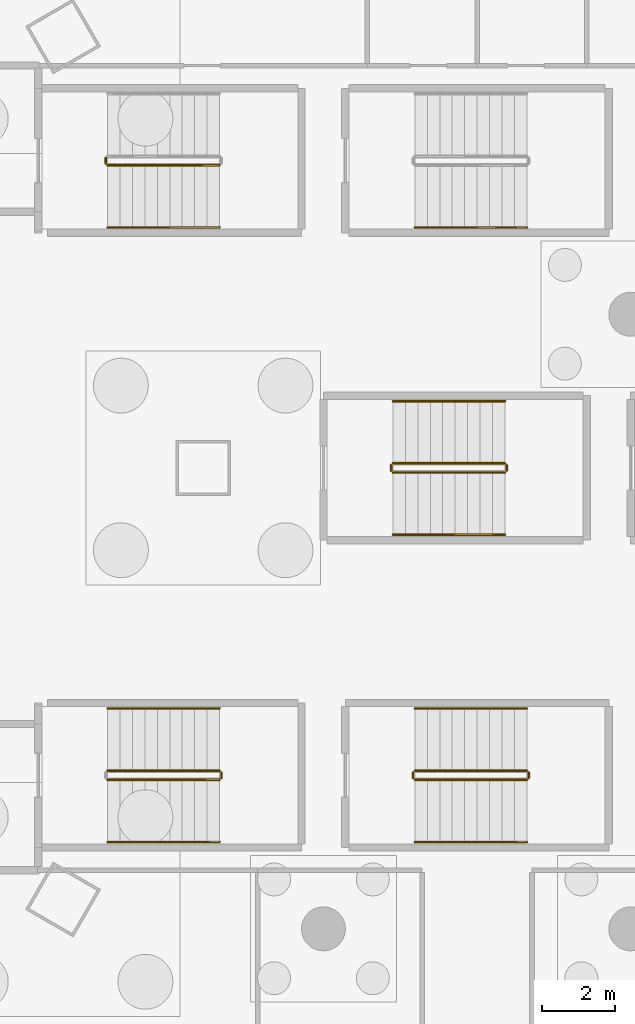
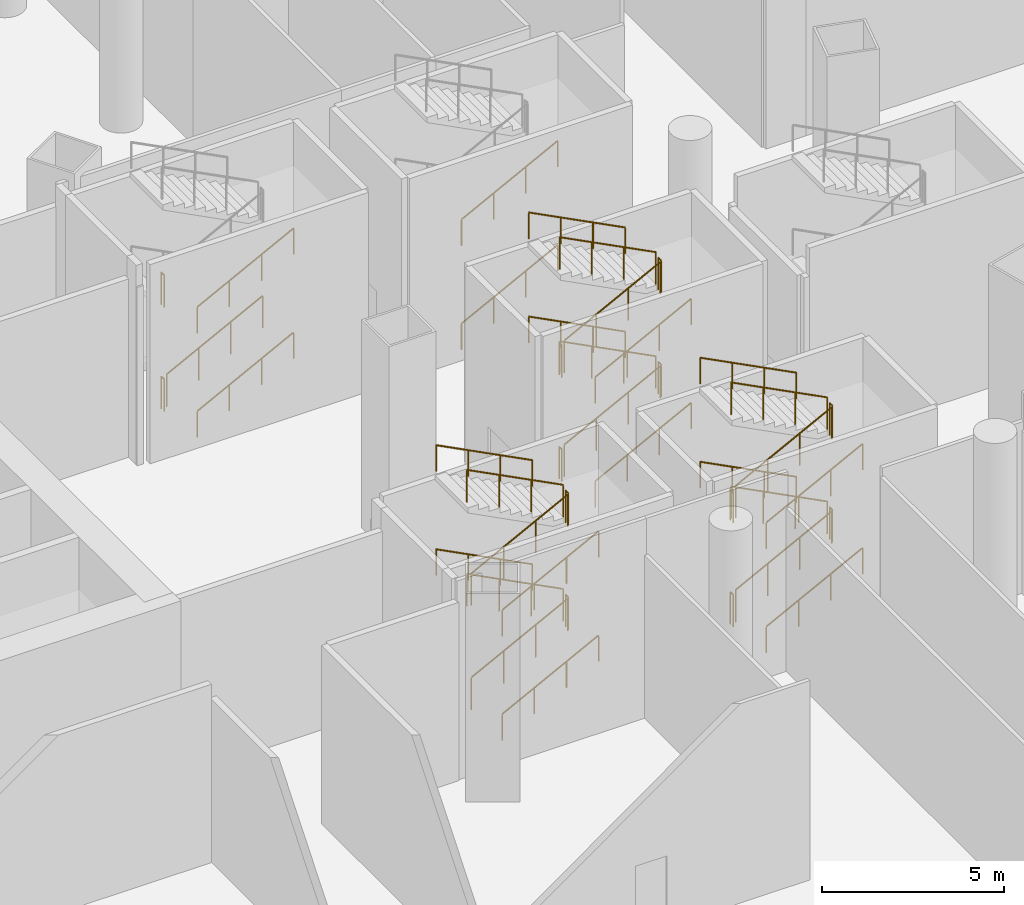
# One storey, part 38 of 41: 41 railings.
"""IFC4 building model written with IfcOpenShell, lengths in metres."""

from ifc_helpers import new_model, si_unit, direction, frame, origin, origin_2d, place, context, subcontext, project, spatial, circle, extrude, material, type_object, element, save


model = new_model("IFC4")

# Units and contexts
model_context = context("Model", 3, precision=1e-05, world=origin(), true_north=direction((0.0, 1.0)))
body_context = subcontext(model_context, "Body", "Model", "MODEL_VIEW")
ifc_project = project(units=[si_unit("LENGTHUNIT", "METRE"), si_unit("AREAUNIT", "SQUARE_METRE"), si_unit("VOLUMEUNIT", "CUBIC_METRE"), si_unit("PLANEANGLEUNIT", "RADIAN"), si_unit("MASSUNIT", "GRAM", prefix="KILO")], contexts=[model_context])

# Site, building, storey
site_placement = place(None, origin())
site = spatial("IfcSite", under=ifc_project, at=site_placement, CompositionType="ELEMENT")
building_placement = place(site_placement, origin())
building = spatial("IfcBuilding", under=site, at=building_placement, Name="Rimbun Link Towers", CompositionType="ELEMENT")
storey_placement = place(building_placement, origin())
storey = spatial("IfcBuildingStorey", under=building, at=storey_placement, Name="L00", CompositionType="ELEMENT", Elevation=0.0)

# Railings
ifc_material_1 = material(Name="Stainless steel grade 316", Category="steel")
railing_type_1 = type_object("IfcRailingType", Name="Stair guard", PredefinedType="GUARDRAIL", material=ifc_material_1)
railing_1_placement = place(storey_placement, frame((-10.10009765625, -8.52490234375, 0.175048828125)))
element("IfcRailing", 1, at=railing_1_placement, inside=storey, type_object=railing_type_1, Name="L00 PS1 stair guard 1", PredefinedType="GUARDRAIL", context=body_context, shape_type="SweptSolid", body=[
    extrude(circle(Radius=0.02392578125, at=origin_2d()), frame((0.0, 0.0, 1.076171875), z_axis=(0.889145149024, 0.0, 0.457625287726), x_axis=(0.0, 1.0, 0.0)), (0.0, 0.0, 1.0), 3.441650390625),
    extrude(circle(Radius=0.02099609375, at=origin_2d()), origin(), (0.0, 0.0, 1.0), 1.052001953125),
    extrude(circle(Radius=0.02099609375, at=origin_2d()), frame((1.02001953125, 0.0, 0.52490234375)), (0.0, 0.0, 1.0), 1.052001953125),
    extrude(circle(Radius=0.02099609375, at=origin_2d()), frame((2.0400390625, 0.0, 1.050048828125)), (0.0, 0.0, 1.0), 1.052001953125),
    extrude(circle(Radius=0.02099609375, at=origin_2d()), frame((3.06005859375, 0.0, 1.574951171875)), (0.0, 0.0, 1.0), 1.052001953125),
])
railing_2_placement = place(storey_placement, frame((-6.989990234375, -8.47509765625, 1.75)))
element("IfcRailing", 2, at=railing_2_placement, inside=storey, type_object=railing_type_1, Name="L00 PS1 stair guard 2", PredefinedType="GUARDRAIL", context=body_context, shape_type="SweptSolid", body=[
    extrude(circle(Radius=0.02392578125, at=origin_2d()), frame((0.0, 0.0, 1.076171875), z_axis=(0.0, 1.0, 0.0), x_axis=(-1.0, 0.0, 0.0)), (0.0, 0.0, 1.0), 0.150146484375),
    extrude(circle(Radius=0.02099609375, at=origin_2d()), origin(), (0.0, 0.0, 1.0), 1.052001953125),
    extrude(circle(Radius=0.02099609375, at=origin_2d()), frame((0.0, 0.150146484375, 0.0)), (0.0, 0.0, 1.0), 1.052001953125),
])
railing_3_placement = place(storey_placement, frame((-7.0400390625, -8.27490234375, 1.925048828125)))
element("IfcRailing", 3, at=railing_3_placement, inside=storey, type_object=railing_type_1, Name="L00 PS1 stair guard 3", PredefinedType="GUARDRAIL", context=body_context, shape_type="SweptSolid", body=[
    extrude(circle(Radius=0.02392578125, at=origin_2d()), frame((0.0, 0.0, 1.076171875), z_axis=(-0.889145149024, 0.0, 0.457625287726), x_axis=(0.0, -1.0, 0.0)), (0.0, 0.0, 1.0), 3.441650390625),
    extrude(circle(Radius=0.02099609375, at=origin_2d()), origin(), (0.0, 0.0, 1.0), 1.052001953125),
    extrude(circle(Radius=0.02099609375, at=origin_2d()), frame((-1.02001953125, 0.0, 0.52490234375)), (0.0, 0.0, 1.0), 1.052001953125),
    extrude(circle(Radius=0.02099609375, at=origin_2d()), frame((-2.0400390625, 0.0, 1.050048828125)), (0.0, 0.0, 1.0), 1.052001953125),
    extrude(circle(Radius=0.02099609375, at=origin_2d()), frame((-3.06005859375, 0.0, 1.574951171875)), (0.0, 0.0, 1.0), 1.052001953125),
])
railing_4_placement = place(storey_placement, frame((-10.10009765625, -8.52490234375, 3.675048828125)))
element("IfcRailing", 4, at=railing_4_placement, inside=storey, type_object=railing_type_1, Name="L00 PS1 stair guard 5", PredefinedType="GUARDRAIL", context=body_context, shape_type="SweptSolid", body=[
    extrude(circle(Radius=0.02392578125, at=origin_2d()), frame((0.0, 0.0, 1.076171875), z_axis=(0.889145149024, 0.0, 0.457625287726), x_axis=(0.0, 1.0, 0.0)), (0.0, 0.0, 1.0), 3.441650390625),
    extrude(circle(Radius=0.02099609375, at=origin_2d()), origin(), (0.0, 0.0, 1.0), 1.052001953125),
    extrude(circle(Radius=0.02099609375, at=origin_2d()), frame((1.02001953125, 0.0, 0.52490234375)), (0.0, 0.0, 1.0), 1.052001953125),
    extrude(circle(Radius=0.02099609375, at=origin_2d()), frame((2.0400390625, 0.0, 1.050048828125)), (0.0, 0.0, 1.0), 1.052001953125),
    extrude(circle(Radius=0.02099609375, at=origin_2d()), frame((3.06005859375, 0.0, 1.574951171875)), (0.0, 0.0, 1.0), 1.052001953125),
])
railing_5_placement = place(storey_placement, frame((-6.989990234375, -8.47509765625, 5.25)))
element("IfcRailing", 5, at=railing_5_placement, inside=storey, type_object=railing_type_1, Name="L00 PS1 stair guard 6", PredefinedType="GUARDRAIL", context=body_context, shape_type="SweptSolid", body=[
    extrude(circle(Radius=0.02392578125, at=origin_2d()), frame((0.0, 0.0, 1.076171875), z_axis=(0.0, 1.0, 0.0), x_axis=(-1.0, 0.0, 0.0)), (0.0, 0.0, 1.0), 0.150146484375),
    extrude(circle(Radius=0.02099609375, at=origin_2d()), origin(), (0.0, 0.0, 1.0), 1.052001953125),
    extrude(circle(Radius=0.02099609375, at=origin_2d()), frame((0.0, 0.150146484375, 0.0)), (0.0, 0.0, 1.0), 1.052001953125),
])
railing_6_placement = place(storey_placement, frame((-7.0400390625, -8.27490234375, 5.425048828125)))
element("IfcRailing", 6, at=railing_6_placement, inside=storey, type_object=railing_type_1, Name="L00 PS1 stair guard 7", PredefinedType="GUARDRAIL", context=body_context, shape_type="SweptSolid", body=[
    extrude(circle(Radius=0.02392578125, at=origin_2d()), frame((0.0, 0.0, 1.076171875), z_axis=(-0.889145149024, 0.0, 0.457625287726), x_axis=(0.0, -1.0, 0.0)), (0.0, 0.0, 1.0), 3.441650390625),
    extrude(circle(Radius=0.02099609375, at=origin_2d()), origin(), (0.0, 0.0, 1.0), 1.052001953125),
    extrude(circle(Radius=0.02099609375, at=origin_2d()), frame((-1.02001953125, 0.0, 0.52490234375)), (0.0, 0.0, 1.0), 1.052001953125),
    extrude(circle(Radius=0.02099609375, at=origin_2d()), frame((-2.0400390625, 0.0, 1.050048828125)), (0.0, 0.0, 1.0), 1.052001953125),
    extrude(circle(Radius=0.02099609375, at=origin_2d()), frame((-3.06005859375, 0.0, 1.574951171875)), (0.0, 0.0, 1.0), 1.052001953125),
])
railing_7_placement = place(storey_placement, frame((-1.699951171875, -8.52490234375, 0.175048828125)))
element("IfcRailing", 7, at=railing_7_placement, inside=storey, type_object=railing_type_1, Name="L00 PS2 stair guard 1", PredefinedType="GUARDRAIL", context=body_context, shape_type="SweptSolid", body=[
    extrude(circle(Radius=0.02392578125, at=origin_2d()), frame((0.0, 0.0, 1.076171875), z_axis=(0.889145149024, 0.0, 0.457625287726), x_axis=(0.0, 1.0, 0.0)), (0.0, 0.0, 1.0), 3.441650390625),
    extrude(circle(Radius=0.02099609375, at=origin_2d()), origin(), (0.0, 0.0, 1.0), 1.052001953125),
    extrude(circle(Radius=0.02099609375, at=origin_2d()), frame((1.02001953125, 0.0, 0.52490234375)), (0.0, 0.0, 1.0), 1.052001953125),
    extrude(circle(Radius=0.02099609375, at=origin_2d()), frame((2.0400390625, 0.0, 1.050048828125)), (0.0, 0.0, 1.0), 1.052001953125),
    extrude(circle(Radius=0.02099609375, at=origin_2d()), frame((3.06005859375, 0.0, 1.574951171875)), (0.0, 0.0, 1.0), 1.052001953125),
])
railing_8_placement = place(storey_placement, frame((1.409912109375, -8.47509765625, 1.75)))
element("IfcRailing", 8, at=railing_8_placement, inside=storey, type_object=railing_type_1, Name="L00 PS2 stair guard 2", PredefinedType="GUARDRAIL", context=body_context, shape_type="SweptSolid", body=[
    extrude(circle(Radius=0.02392578125, at=origin_2d()), frame((0.0, 0.0, 1.076171875), z_axis=(0.0, 1.0, 0.0), x_axis=(-1.0, 0.0, 0.0)), (0.0, 0.0, 1.0), 0.150146484375),
    extrude(circle(Radius=0.02099609375, at=origin_2d()), origin(), (0.0, 0.0, 1.0), 1.052001953125),
    extrude(circle(Radius=0.02099609375, at=origin_2d()), frame((0.0, 0.150146484375, 0.0)), (0.0, 0.0, 1.0), 1.052001953125),
])
railing_9_placement = place(storey_placement, frame((1.360107421875, -8.27490234375, 1.925048828125)))
element("IfcRailing", 9, at=railing_9_placement, inside=storey, type_object=railing_type_1, Name="L00 PS2 stair guard 3", PredefinedType="GUARDRAIL", context=body_context, shape_type="SweptSolid", body=[
    extrude(circle(Radius=0.02392578125, at=origin_2d()), frame((0.0, 0.0, 1.076171875), z_axis=(-0.889145149024, 0.0, 0.457625287726), x_axis=(0.0, -1.0, 0.0)), (0.0, 0.0, 1.0), 3.441650390625),
    extrude(circle(Radius=0.02099609375, at=origin_2d()), origin(), (0.0, 0.0, 1.0), 1.052001953125),
    extrude(circle(Radius=0.02099609375, at=origin_2d()), frame((-1.02001953125, 0.0, 0.52490234375)), (0.0, 0.0, 1.0), 1.052001953125),
    extrude(circle(Radius=0.02099609375, at=origin_2d()), frame((-2.0400390625, 0.0, 1.050048828125)), (0.0, 0.0, 1.0), 1.052001953125),
    extrude(circle(Radius=0.02099609375, at=origin_2d()), frame((-3.06005859375, 0.0, 1.574951171875)), (0.0, 0.0, 1.0), 1.052001953125),
])
railing_10_placement = place(storey_placement, frame((-1.75, -8.47509765625, 3.5)))
element("IfcRailing", 10, at=railing_10_placement, inside=storey, type_object=railing_type_1, Name="L00 PS2 stair guard 4", PredefinedType="GUARDRAIL", context=body_context, shape_type="SweptSolid", body=[
    extrude(circle(Radius=0.02392578125, at=origin_2d()), frame((0.0, 0.0, 1.076171875), z_axis=(0.0, 1.0, 0.0), x_axis=(-1.0, 0.0, 0.0)), (0.0, 0.0, 1.0), 0.150146484375),
    extrude(circle(Radius=0.02099609375, at=origin_2d()), origin(), (0.0, 0.0, 1.0), 1.052001953125),
    extrude(circle(Radius=0.02099609375, at=origin_2d()), frame((0.0, 0.150146484375, 0.0)), (0.0, 0.0, 1.0), 1.052001953125),
])
railing_11_placement = place(storey_placement, frame((-1.699951171875, -8.52490234375, 3.675048828125)))
element("IfcRailing", 11, at=railing_11_placement, inside=storey, type_object=railing_type_1, Name="L00 PS2 stair guard 5", PredefinedType="GUARDRAIL", context=body_context, shape_type="SweptSolid", body=[
    extrude(circle(Radius=0.02392578125, at=origin_2d()), frame((0.0, 0.0, 1.076171875), z_axis=(0.889145149024, 0.0, 0.457625287726), x_axis=(0.0, 1.0, 0.0)), (0.0, 0.0, 1.0), 3.441650390625),
    extrude(circle(Radius=0.02099609375, at=origin_2d()), origin(), (0.0, 0.0, 1.0), 1.052001953125),
    extrude(circle(Radius=0.02099609375, at=origin_2d()), frame((1.02001953125, 0.0, 0.52490234375)), (0.0, 0.0, 1.0), 1.052001953125),
    extrude(circle(Radius=0.02099609375, at=origin_2d()), frame((2.0400390625, 0.0, 1.050048828125)), (0.0, 0.0, 1.0), 1.052001953125),
    extrude(circle(Radius=0.02099609375, at=origin_2d()), frame((3.06005859375, 0.0, 1.574951171875)), (0.0, 0.0, 1.0), 1.052001953125),
])
railing_12_placement = place(storey_placement, frame((1.409912109375, -8.47509765625, 5.25)))
element("IfcRailing", 12, at=railing_12_placement, inside=storey, type_object=railing_type_1, Name="L00 PS2 stair guard 6", PredefinedType="GUARDRAIL", context=body_context, shape_type="SweptSolid", body=[
    extrude(circle(Radius=0.02392578125, at=origin_2d()), frame((0.0, 0.0, 1.076171875), z_axis=(0.0, 1.0, 0.0), x_axis=(-1.0, 0.0, 0.0)), (0.0, 0.0, 1.0), 0.150146484375),
    extrude(circle(Radius=0.02099609375, at=origin_2d()), origin(), (0.0, 0.0, 1.0), 1.052001953125),
    extrude(circle(Radius=0.02099609375, at=origin_2d()), frame((0.0, 0.150146484375, 0.0)), (0.0, 0.0, 1.0), 1.052001953125),
])
railing_13_placement = place(storey_placement, frame((1.360107421875, -8.27490234375, 5.425048828125)))
element("IfcRailing", 13, at=railing_13_placement, inside=storey, type_object=railing_type_1, Name="L00 PS2 stair guard 7", PredefinedType="GUARDRAIL", context=body_context, shape_type="SweptSolid", body=[
    extrude(circle(Radius=0.02392578125, at=origin_2d()), frame((0.0, 0.0, 1.076171875), z_axis=(-0.889145149024, 0.0, 0.457625287726), x_axis=(0.0, -1.0, 0.0)), (0.0, 0.0, 1.0), 3.441650390625),
    extrude(circle(Radius=0.02099609375, at=origin_2d()), origin(), (0.0, 0.0, 1.0), 1.052001953125),
    extrude(circle(Radius=0.02099609375, at=origin_2d()), frame((-1.02001953125, 0.0, 0.52490234375)), (0.0, 0.0, 1.0), 1.052001953125),
    extrude(circle(Radius=0.02099609375, at=origin_2d()), frame((-2.0400390625, 0.0, 1.050048828125)), (0.0, 0.0, 1.0), 1.052001953125),
    extrude(circle(Radius=0.02099609375, at=origin_2d()), frame((-3.06005859375, 0.0, 1.574951171875)), (0.0, 0.0, 1.0), 1.052001953125),
])
railing_14_placement = place(storey_placement, frame((-1.75, -8.47509765625, 0.0)))
element("IfcRailing", 14, at=railing_14_placement, inside=storey, type_object=railing_type_1, Name="L00 PS2 stair guard 8", PredefinedType="GUARDRAIL", context=body_context, shape_type="SweptSolid", body=[
    extrude(circle(Radius=0.02392578125, at=origin_2d()), frame((0.0, 0.0, 1.076171875), z_axis=(0.0, 1.0, 0.0), x_axis=(-1.0, 0.0, 0.0)), (0.0, 0.0, 1.0), 0.150146484375),
    extrude(circle(Radius=0.02099609375, at=origin_2d()), origin(), (0.0, 0.0, 1.0), 1.052001953125),
    extrude(circle(Radius=0.02099609375, at=origin_2d()), frame((0.0, 0.150146484375, 0.0)), (0.0, 0.0, 1.0), 1.052001953125),
])
railing_15_placement = place(storey_placement, frame((-10.10009765625, 8.27490234375, 0.175048828125)))
element("IfcRailing", 15, at=railing_15_placement, inside=storey, type_object=railing_type_1, Name="L00 PS3 stair guard 1", PredefinedType="GUARDRAIL", context=body_context, shape_type="SweptSolid", body=[
    extrude(circle(Radius=0.02392578125, at=origin_2d()), frame((0.0, 0.0, 1.076171875), z_axis=(0.889145149024, 0.0, 0.457625287726), x_axis=(0.0, 1.0, 0.0)), (0.0, 0.0, 1.0), 3.441650390625),
    extrude(circle(Radius=0.02099609375, at=origin_2d()), origin(), (0.0, 0.0, 1.0), 1.052001953125),
    extrude(circle(Radius=0.02099609375, at=origin_2d()), frame((1.02001953125, 0.0, 0.52490234375)), (0.0, 0.0, 1.0), 1.052001953125),
    extrude(circle(Radius=0.02099609375, at=origin_2d()), frame((2.0400390625, 0.0, 1.050048828125)), (0.0, 0.0, 1.0), 1.052001953125),
    extrude(circle(Radius=0.02099609375, at=origin_2d()), frame((3.06005859375, 0.0, 1.574951171875)), (0.0, 0.0, 1.0), 1.052001953125),
])
for number, where, name in (
    (16, (-10.14990234375, 8.324951171875, 3.5), "L00 PS3 stair guard 4"),
    (17, (-10.14990234375, 8.324951171875, 0.0), "L00 PS3 stair guard 8"),
):
    element("IfcRailing", number, at=place(storey_placement, frame(where)), inside=storey, type_object=railing_type_1, Name=name, PredefinedType="GUARDRAIL", context=body_context, shape_type="SweptSolid", body=[
        extrude(circle(Radius=0.02392578125, at=origin_2d()), frame((0.0, 0.0, 1.076171875), z_axis=(0.0, 1.0, 0.0), x_axis=(-1.0, 0.0, 0.0)), (0.0, 0.0, 1.0), 0.150146484375),
        extrude(circle(Radius=0.02099609375, at=origin_2d()), origin(), (0.0, 0.0, 1.0), 1.052001953125),
        extrude(circle(Radius=0.02099609375, at=origin_2d()), frame((0.0, 0.150146484375, 0.0)), (0.0, 0.0, 1.0), 1.052001953125),
    ])
railing_16_placement = place(storey_placement, frame((-2.300048828125, -0.125, 0.175048828125)))
element("IfcRailing", 18, at=railing_16_placement, inside=storey, type_object=railing_type_1, Name="L00 PS6 stair guard 1", PredefinedType="GUARDRAIL", context=body_context, shape_type="SweptSolid", body=[
    extrude(circle(Radius=0.02392578125, at=origin_2d()), frame((0.0, 0.0, 1.076171875), z_axis=(0.889145149024, 0.0, 0.457625287726), x_axis=(0.0, 1.0, 0.0)), (0.0, 0.0, 1.0), 3.441650390625),
    extrude(circle(Radius=0.02099609375, at=origin_2d()), origin(), (0.0, 0.0, 1.0), 1.052001953125),
    extrude(circle(Radius=0.02099609375, at=origin_2d()), frame((1.02001953125, 0.0, 0.52490234375)), (0.0, 0.0, 1.0), 1.052001953125),
    extrude(circle(Radius=0.02099609375, at=origin_2d()), frame((2.0400390625, 0.0, 1.050048828125)), (0.0, 0.0, 1.0), 1.052001953125),
    extrude(circle(Radius=0.02099609375, at=origin_2d()), frame((3.06005859375, 0.0, 1.574951171875)), (0.0, 0.0, 1.0), 1.052001953125),
])
railing_17_placement = place(storey_placement, frame((0.81005859375, -0.074951171875, 1.75)))
element("IfcRailing", 19, at=railing_17_placement, inside=storey, type_object=railing_type_1, Name="L00 PS6 stair guard 2", PredefinedType="GUARDRAIL", context=body_context, shape_type="SweptSolid", body=[
    extrude(circle(Radius=0.02392578125, at=origin_2d()), frame((0.0, 0.0, 1.076171875), z_axis=(0.0, 1.0, 0.0), x_axis=(-1.0, 0.0, 0.0)), (0.0, 0.0, 1.0), 0.14990234375),
    extrude(circle(Radius=0.02099609375, at=origin_2d()), origin(), (0.0, 0.0, 1.0), 1.052001953125),
    extrude(circle(Radius=0.02099609375, at=origin_2d()), frame((0.0, 0.14990234375, 0.0)), (0.0, 0.0, 1.0), 1.052001953125),
])
railing_18_placement = place(storey_placement, frame((0.760009765625, 0.125, 1.925048828125)))
element("IfcRailing", 20, at=railing_18_placement, inside=storey, type_object=railing_type_1, Name="L00 PS6 stair guard 3", PredefinedType="GUARDRAIL", context=body_context, shape_type="SweptSolid", body=[
    extrude(circle(Radius=0.02392578125, at=origin_2d()), frame((0.0, 0.0, 1.076171875), z_axis=(-0.889145149024, 0.0, 0.457625287726), x_axis=(0.0, -1.0, 0.0)), (0.0, 0.0, 1.0), 3.441650390625),
    extrude(circle(Radius=0.02099609375, at=origin_2d()), origin(), (0.0, 0.0, 1.0), 1.052001953125),
    extrude(circle(Radius=0.02099609375, at=origin_2d()), frame((-1.02001953125, 0.0, 0.52490234375)), (0.0, 0.0, 1.0), 1.052001953125),
    extrude(circle(Radius=0.02099609375, at=origin_2d()), frame((-2.0400390625, 0.0, 1.050048828125)), (0.0, 0.0, 1.0), 1.052001953125),
    extrude(circle(Radius=0.02099609375, at=origin_2d()), frame((-3.06005859375, 0.0, 1.574951171875)), (0.0, 0.0, 1.0), 1.052001953125),
])
railing_19_placement = place(storey_placement, frame((-2.35009765625, -0.074951171875, 3.5)))
element("IfcRailing", 21, at=railing_19_placement, inside=storey, type_object=railing_type_1, Name="L00 PS6 stair guard 4", PredefinedType="GUARDRAIL", context=body_context, shape_type="SweptSolid", body=[
    extrude(circle(Radius=0.02392578125, at=origin_2d()), frame((0.0, 0.0, 1.076171875), z_axis=(0.0, 1.0, 0.0), x_axis=(-1.0, 0.0, 0.0)), (0.0, 0.0, 1.0), 0.14990234375),
    extrude(circle(Radius=0.02099609375, at=origin_2d()), origin(), (0.0, 0.0, 1.0), 1.052001953125),
    extrude(circle(Radius=0.02099609375, at=origin_2d()), frame((0.0, 0.14990234375, 0.0)), (0.0, 0.0, 1.0), 1.052001953125),
])
railing_20_placement = place(storey_placement, frame((-2.300048828125, -0.125, 3.675048828125)))
element("IfcRailing", 22, at=railing_20_placement, inside=storey, type_object=railing_type_1, Name="L00 PS6 stair guard 5", PredefinedType="GUARDRAIL", context=body_context, shape_type="SweptSolid", body=[
    extrude(circle(Radius=0.02392578125, at=origin_2d()), frame((0.0, 0.0, 1.076171875), z_axis=(0.889145149024, 0.0, 0.457625287726), x_axis=(0.0, 1.0, 0.0)), (0.0, 0.0, 1.0), 3.441650390625),
    extrude(circle(Radius=0.02099609375, at=origin_2d()), origin(), (0.0, 0.0, 1.0), 1.052001953125),
    extrude(circle(Radius=0.02099609375, at=origin_2d()), frame((1.02001953125, 0.0, 0.52490234375)), (0.0, 0.0, 1.0), 1.052001953125),
    extrude(circle(Radius=0.02099609375, at=origin_2d()), frame((2.0400390625, 0.0, 1.050048828125)), (0.0, 0.0, 1.0), 1.052001953125),
    extrude(circle(Radius=0.02099609375, at=origin_2d()), frame((3.06005859375, 0.0, 1.574951171875)), (0.0, 0.0, 1.0), 1.052001953125),
])
railing_21_placement = place(storey_placement, frame((0.81005859375, -0.074951171875, 5.25)))
element("IfcRailing", 23, at=railing_21_placement, inside=storey, type_object=railing_type_1, Name="L00 PS6 stair guard 6", PredefinedType="GUARDRAIL", context=body_context, shape_type="SweptSolid", body=[
    extrude(circle(Radius=0.02392578125, at=origin_2d()), frame((0.0, 0.0, 1.076171875), z_axis=(0.0, 1.0, 0.0), x_axis=(-1.0, 0.0, 0.0)), (0.0, 0.0, 1.0), 0.14990234375),
    extrude(circle(Radius=0.02099609375, at=origin_2d()), origin(), (0.0, 0.0, 1.0), 1.052001953125),
    extrude(circle(Radius=0.02099609375, at=origin_2d()), frame((0.0, 0.14990234375, 0.0)), (0.0, 0.0, 1.0), 1.052001953125),
])
railing_22_placement = place(storey_placement, frame((0.760009765625, 0.125, 5.425048828125)))
element("IfcRailing", 24, at=railing_22_placement, inside=storey, type_object=railing_type_1, Name="L00 PS6 stair guard 7", PredefinedType="GUARDRAIL", context=body_context, shape_type="SweptSolid", body=[
    extrude(circle(Radius=0.02392578125, at=origin_2d()), frame((0.0, 0.0, 1.076171875), z_axis=(-0.889145149024, 0.0, 0.457625287726), x_axis=(0.0, -1.0, 0.0)), (0.0, 0.0, 1.0), 3.441650390625),
    extrude(circle(Radius=0.02099609375, at=origin_2d()), origin(), (0.0, 0.0, 1.0), 1.052001953125),
    extrude(circle(Radius=0.02099609375, at=origin_2d()), frame((-1.02001953125, 0.0, 0.52490234375)), (0.0, 0.0, 1.0), 1.052001953125),
    extrude(circle(Radius=0.02099609375, at=origin_2d()), frame((-2.0400390625, 0.0, 1.050048828125)), (0.0, 0.0, 1.0), 1.052001953125),
    extrude(circle(Radius=0.02099609375, at=origin_2d()), frame((-3.06005859375, 0.0, 1.574951171875)), (0.0, 0.0, 1.0), 1.052001953125),
])
railing_23_placement = place(storey_placement, frame((-2.35009765625, -0.074951171875, 0.0)))
element("IfcRailing", 25, at=railing_23_placement, inside=storey, type_object=railing_type_1, Name="L00 PS6 stair guard 8", PredefinedType="GUARDRAIL", context=body_context, shape_type="SweptSolid", body=[
    extrude(circle(Radius=0.02392578125, at=origin_2d()), frame((0.0, 0.0, 1.076171875), z_axis=(0.0, 1.0, 0.0), x_axis=(-1.0, 0.0, 0.0)), (0.0, 0.0, 1.0), 0.14990234375),
    extrude(circle(Radius=0.02099609375, at=origin_2d()), origin(), (0.0, 0.0, 1.0), 1.052001953125),
    extrude(circle(Radius=0.02099609375, at=origin_2d()), frame((0.0, 0.14990234375, 0.0)), (0.0, 0.0, 1.0), 1.052001953125),
])
ifc_material_2 = material(Name="Stainless steel grade 316", Category="steel")
railing_type_2 = type_object("IfcRailingType", Name="Stair handrail", PredefinedType="HANDRAIL", material=ifc_material_2)
railing_24_placement = place(storey_placement, frame((-10.10009765625, -10.22509765625, 0.175048828125)))
element("IfcRailing", 26, at=railing_24_placement, inside=storey, type_object=railing_type_2, Name="L00 PS1 stair handrail 1", PredefinedType="HANDRAIL", context=body_context, shape_type="SweptSolid", body=[
    extrude(circle(Radius=0.02392578125, at=origin_2d()), frame((0.0, 0.0, 0.8759765625), z_axis=(0.889145149024, 0.0, 0.457625287726), x_axis=(0.0, 1.0, 0.0)), (0.0, 0.0, 1.0), 3.441650390625),
    extrude(circle(Radius=0.02099609375, at=origin_2d()), origin(), (0.0, 0.0, 1.0), 0.851806640625),
    extrude(circle(Radius=0.02099609375, at=origin_2d()), frame((1.02001953125, 0.0, 0.52490234375)), (0.0, 0.0, 1.0), 0.851806640625),
    extrude(circle(Radius=0.02099609375, at=origin_2d()), frame((2.0400390625, 0.0, 1.050048828125)), (0.0, 0.0, 1.0), 0.851806640625),
    extrude(circle(Radius=0.02099609375, at=origin_2d()), frame((3.06005859375, 0.0, 1.574951171875)), (0.0, 0.0, 1.0), 0.851806640625),
])
railing_25_placement = place(storey_placement, frame((-7.0400390625, -6.574951171875, 1.925048828125)))
element("IfcRailing", 27, at=railing_25_placement, inside=storey, type_object=railing_type_2, Name="L00 PS1 stair handrail 2", PredefinedType="HANDRAIL", context=body_context, shape_type="SweptSolid", body=[
    extrude(circle(Radius=0.02392578125, at=origin_2d()), frame((0.0, 0.0, 0.8759765625), z_axis=(-0.889145149024, 0.0, 0.457625287726), x_axis=(0.0, -1.0, 0.0)), (0.0, 0.0, 1.0), 3.441650390625),
    extrude(circle(Radius=0.02099609375, at=origin_2d()), origin(), (0.0, 0.0, 1.0), 0.851806640625),
    extrude(circle(Radius=0.02099609375, at=origin_2d()), frame((-1.02001953125, 0.0, 0.52490234375)), (0.0, 0.0, 1.0), 0.851806640625),
    extrude(circle(Radius=0.02099609375, at=origin_2d()), frame((-2.0400390625, 0.0, 1.050048828125)), (0.0, 0.0, 1.0), 0.851806640625),
    extrude(circle(Radius=0.02099609375, at=origin_2d()), frame((-3.06005859375, 0.0, 1.574951171875)), (0.0, 0.0, 1.0), 0.851806640625),
])
railing_26_placement = place(storey_placement, frame((-10.10009765625, -10.22509765625, 3.675048828125)))
element("IfcRailing", 28, at=railing_26_placement, inside=storey, type_object=railing_type_2, Name="L00 PS1 stair handrail 3", PredefinedType="HANDRAIL", context=body_context, shape_type="SweptSolid", body=[
    extrude(circle(Radius=0.02392578125, at=origin_2d()), frame((0.0, 0.0, 0.8759765625), z_axis=(0.889145149024, 0.0, 0.457625287726), x_axis=(0.0, 1.0, 0.0)), (0.0, 0.0, 1.0), 3.441650390625),
    extrude(circle(Radius=0.02099609375, at=origin_2d()), origin(), (0.0, 0.0, 1.0), 0.851806640625),
    extrude(circle(Radius=0.02099609375, at=origin_2d()), frame((1.02001953125, 0.0, 0.52490234375)), (0.0, 0.0, 1.0), 0.851806640625),
    extrude(circle(Radius=0.02099609375, at=origin_2d()), frame((2.0400390625, 0.0, 1.050048828125)), (0.0, 0.0, 1.0), 0.851806640625),
    extrude(circle(Radius=0.02099609375, at=origin_2d()), frame((3.06005859375, 0.0, 1.574951171875)), (0.0, 0.0, 1.0), 0.851806640625),
])
railing_27_placement = place(storey_placement, frame((-7.0400390625, -6.574951171875, 5.425048828125)))
element("IfcRailing", 29, at=railing_27_placement, inside=storey, type_object=railing_type_2, Name="L00 PS1 stair handrail 4", PredefinedType="HANDRAIL", context=body_context, shape_type="SweptSolid", body=[
    extrude(circle(Radius=0.02392578125, at=origin_2d()), frame((0.0, 0.0, 0.8759765625), z_axis=(-0.889145149024, 0.0, 0.457625287726), x_axis=(0.0, -1.0, 0.0)), (0.0, 0.0, 1.0), 3.441650390625),
    extrude(circle(Radius=0.02099609375, at=origin_2d()), origin(), (0.0, 0.0, 1.0), 0.851806640625),
    extrude(circle(Radius=0.02099609375, at=origin_2d()), frame((-1.02001953125, 0.0, 0.52490234375)), (0.0, 0.0, 1.0), 0.851806640625),
    extrude(circle(Radius=0.02099609375, at=origin_2d()), frame((-2.0400390625, 0.0, 1.050048828125)), (0.0, 0.0, 1.0), 0.851806640625),
    extrude(circle(Radius=0.02099609375, at=origin_2d()), frame((-3.06005859375, 0.0, 1.574951171875)), (0.0, 0.0, 1.0), 0.851806640625),
])
railing_28_placement = place(storey_placement, frame((-1.699951171875, -10.22509765625, 0.175048828125)))
element("IfcRailing", 30, at=railing_28_placement, inside=storey, type_object=railing_type_2, Name="L00 PS2 stair handrail 1", PredefinedType="HANDRAIL", context=body_context, shape_type="SweptSolid", body=[
    extrude(circle(Radius=0.02392578125, at=origin_2d()), frame((0.0, 0.0, 0.8759765625), z_axis=(0.889145149024, 0.0, 0.457625287726), x_axis=(0.0, 1.0, 0.0)), (0.0, 0.0, 1.0), 3.441650390625),
    extrude(circle(Radius=0.02099609375, at=origin_2d()), origin(), (0.0, 0.0, 1.0), 0.851806640625),
    extrude(circle(Radius=0.02099609375, at=origin_2d()), frame((1.02001953125, 0.0, 0.52490234375)), (0.0, 0.0, 1.0), 0.851806640625),
    extrude(circle(Radius=0.02099609375, at=origin_2d()), frame((2.0400390625, 0.0, 1.050048828125)), (0.0, 0.0, 1.0), 0.851806640625),
    extrude(circle(Radius=0.02099609375, at=origin_2d()), frame((3.06005859375, 0.0, 1.574951171875)), (0.0, 0.0, 1.0), 0.851806640625),
])
railing_29_placement = place(storey_placement, frame((1.360107421875, -6.574951171875, 1.925048828125)))
element("IfcRailing", 31, at=railing_29_placement, inside=storey, type_object=railing_type_2, Name="L00 PS2 stair handrail 2", PredefinedType="HANDRAIL", context=body_context, shape_type="SweptSolid", body=[
    extrude(circle(Radius=0.02392578125, at=origin_2d()), frame((0.0, 0.0, 0.8759765625), z_axis=(-0.889145149024, 0.0, 0.457625287726), x_axis=(0.0, -1.0, 0.0)), (0.0, 0.0, 1.0), 3.441650390625),
    extrude(circle(Radius=0.02099609375, at=origin_2d()), origin(), (0.0, 0.0, 1.0), 0.851806640625),
    extrude(circle(Radius=0.02099609375, at=origin_2d()), frame((-1.02001953125, 0.0, 0.52490234375)), (0.0, 0.0, 1.0), 0.851806640625),
    extrude(circle(Radius=0.02099609375, at=origin_2d()), frame((-2.0400390625, 0.0, 1.050048828125)), (0.0, 0.0, 1.0), 0.851806640625),
    extrude(circle(Radius=0.02099609375, at=origin_2d()), frame((-3.06005859375, 0.0, 1.574951171875)), (0.0, 0.0, 1.0), 0.851806640625),
])
railing_30_placement = place(storey_placement, frame((-1.699951171875, -10.22509765625, 3.675048828125)))
element("IfcRailing", 32, at=railing_30_placement, inside=storey, type_object=railing_type_2, Name="L00 PS2 stair handrail 3", PredefinedType="HANDRAIL", context=body_context, shape_type="SweptSolid", body=[
    extrude(circle(Radius=0.02392578125, at=origin_2d()), frame((0.0, 0.0, 0.8759765625), z_axis=(0.889145149024, 0.0, 0.457625287726), x_axis=(0.0, 1.0, 0.0)), (0.0, 0.0, 1.0), 3.441650390625),
    extrude(circle(Radius=0.02099609375, at=origin_2d()), origin(), (0.0, 0.0, 1.0), 0.851806640625),
    extrude(circle(Radius=0.02099609375, at=origin_2d()), frame((1.02001953125, 0.0, 0.52490234375)), (0.0, 0.0, 1.0), 0.851806640625),
    extrude(circle(Radius=0.02099609375, at=origin_2d()), frame((2.0400390625, 0.0, 1.050048828125)), (0.0, 0.0, 1.0), 0.851806640625),
    extrude(circle(Radius=0.02099609375, at=origin_2d()), frame((3.06005859375, 0.0, 1.574951171875)), (0.0, 0.0, 1.0), 0.851806640625),
])
railing_31_placement = place(storey_placement, frame((1.360107421875, -6.574951171875, 5.425048828125)))
element("IfcRailing", 33, at=railing_31_placement, inside=storey, type_object=railing_type_2, Name="L00 PS2 stair handrail 4", PredefinedType="HANDRAIL", context=body_context, shape_type="SweptSolid", body=[
    extrude(circle(Radius=0.02392578125, at=origin_2d()), frame((0.0, 0.0, 0.8759765625), z_axis=(-0.889145149024, 0.0, 0.457625287726), x_axis=(0.0, -1.0, 0.0)), (0.0, 0.0, 1.0), 3.441650390625),
    extrude(circle(Radius=0.02099609375, at=origin_2d()), origin(), (0.0, 0.0, 1.0), 0.851806640625),
    extrude(circle(Radius=0.02099609375, at=origin_2d()), frame((-1.02001953125, 0.0, 0.52490234375)), (0.0, 0.0, 1.0), 0.851806640625),
    extrude(circle(Radius=0.02099609375, at=origin_2d()), frame((-2.0400390625, 0.0, 1.050048828125)), (0.0, 0.0, 1.0), 0.851806640625),
    extrude(circle(Radius=0.02099609375, at=origin_2d()), frame((-3.06005859375, 0.0, 1.574951171875)), (0.0, 0.0, 1.0), 0.851806640625),
])
for number, where, name in (
    (34, (-10.10009765625, 6.574951171875, 0.175048828125), "L00 PS3 stair handrail 1"),
    (35, (-10.10009765625, 6.574951171875, 3.675048828125), "L00 PS3 stair handrail 3"),
    (36, (-1.699951171875, 6.574951171875, 0.175048828125), "L00 PS4 stair handrail 1"),
    (37, (-1.699951171875, 6.574951171875, 3.675048828125), "L00 PS4 stair handrail 3"),
    (38, (-2.300048828125, -1.824951171875, 0.175048828125), "L00 PS6 stair handrail 1"),
):
    element("IfcRailing", number, at=place(storey_placement, frame(where)), inside=storey, type_object=railing_type_2, Name=name, PredefinedType="HANDRAIL", context=body_context, shape_type="SweptSolid", body=[
        extrude(circle(Radius=0.02392578125, at=origin_2d()), frame((0.0, 0.0, 0.8759765625), z_axis=(0.889145149024, 0.0, 0.457625287726), x_axis=(0.0, 1.0, 0.0)), (0.0, 0.0, 1.0), 3.441650390625),
        extrude(circle(Radius=0.02099609375, at=origin_2d()), origin(), (0.0, 0.0, 1.0), 0.851806640625),
        extrude(circle(Radius=0.02099609375, at=origin_2d()), frame((1.02001953125, 0.0, 0.52490234375)), (0.0, 0.0, 1.0), 0.851806640625),
        extrude(circle(Radius=0.02099609375, at=origin_2d()), frame((2.0400390625, 0.0, 1.050048828125)), (0.0, 0.0, 1.0), 0.851806640625),
        extrude(circle(Radius=0.02099609375, at=origin_2d()), frame((3.06005859375, 0.0, 1.574951171875)), (0.0, 0.0, 1.0), 0.851806640625),
    ])
railing_32_placement = place(storey_placement, frame((0.760009765625, 1.824951171875, 1.925048828125)))
element("IfcRailing", 39, at=railing_32_placement, inside=storey, type_object=railing_type_2, Name="L00 PS6 stair handrail 2", PredefinedType="HANDRAIL", context=body_context, shape_type="SweptSolid", body=[
    extrude(circle(Radius=0.02392578125, at=origin_2d()), frame((0.0, 0.0, 0.8759765625), z_axis=(-0.889145149024, 0.0, 0.457625287726), x_axis=(0.0, -1.0, 0.0)), (0.0, 0.0, 1.0), 3.441650390625),
    extrude(circle(Radius=0.02099609375, at=origin_2d()), origin(), (0.0, 0.0, 1.0), 0.851806640625),
    extrude(circle(Radius=0.02099609375, at=origin_2d()), frame((-1.02001953125, 0.0, 0.52490234375)), (0.0, 0.0, 1.0), 0.851806640625),
    extrude(circle(Radius=0.02099609375, at=origin_2d()), frame((-2.0400390625, 0.0, 1.050048828125)), (0.0, 0.0, 1.0), 0.851806640625),
    extrude(circle(Radius=0.02099609375, at=origin_2d()), frame((-3.06005859375, 0.0, 1.574951171875)), (0.0, 0.0, 1.0), 0.851806640625),
])
railing_33_placement = place(storey_placement, frame((-2.300048828125, -1.824951171875, 3.675048828125)))
element("IfcRailing", 40, at=railing_33_placement, inside=storey, type_object=railing_type_2, Name="L00 PS6 stair handrail 3", PredefinedType="HANDRAIL", context=body_context, shape_type="SweptSolid", body=[
    extrude(circle(Radius=0.02392578125, at=origin_2d()), frame((0.0, 0.0, 0.8759765625), z_axis=(0.889145149024, 0.0, 0.457625287726), x_axis=(0.0, 1.0, 0.0)), (0.0, 0.0, 1.0), 3.441650390625),
    extrude(circle(Radius=0.02099609375, at=origin_2d()), origin(), (0.0, 0.0, 1.0), 0.851806640625),
    extrude(circle(Radius=0.02099609375, at=origin_2d()), frame((1.02001953125, 0.0, 0.52490234375)), (0.0, 0.0, 1.0), 0.851806640625),
    extrude(circle(Radius=0.02099609375, at=origin_2d()), frame((2.0400390625, 0.0, 1.050048828125)), (0.0, 0.0, 1.0), 0.851806640625),
    extrude(circle(Radius=0.02099609375, at=origin_2d()), frame((3.06005859375, 0.0, 1.574951171875)), (0.0, 0.0, 1.0), 0.851806640625),
])
railing_34_placement = place(storey_placement, frame((0.760009765625, 1.824951171875, 5.425048828125)))
element("IfcRailing", 41, at=railing_34_placement, inside=storey, type_object=railing_type_2, Name="L00 PS6 stair handrail 4", PredefinedType="HANDRAIL", context=body_context, shape_type="SweptSolid", body=[
    extrude(circle(Radius=0.02392578125, at=origin_2d()), frame((0.0, 0.0, 0.8759765625), z_axis=(-0.889145149024, 0.0, 0.457625287726), x_axis=(0.0, -1.0, 0.0)), (0.0, 0.0, 1.0), 3.441650390625),
    extrude(circle(Radius=0.02099609375, at=origin_2d()), origin(), (0.0, 0.0, 1.0), 0.851806640625),
    extrude(circle(Radius=0.02099609375, at=origin_2d()), frame((-1.02001953125, 0.0, 0.52490234375)), (0.0, 0.0, 1.0), 0.851806640625),
    extrude(circle(Radius=0.02099609375, at=origin_2d()), frame((-2.0400390625, 0.0, 1.050048828125)), (0.0, 0.0, 1.0), 0.851806640625),
    extrude(circle(Radius=0.02099609375, at=origin_2d()), frame((-3.06005859375, 0.0, 1.574951171875)), (0.0, 0.0, 1.0), 0.851806640625),
])

save(model, "model.ifc")
